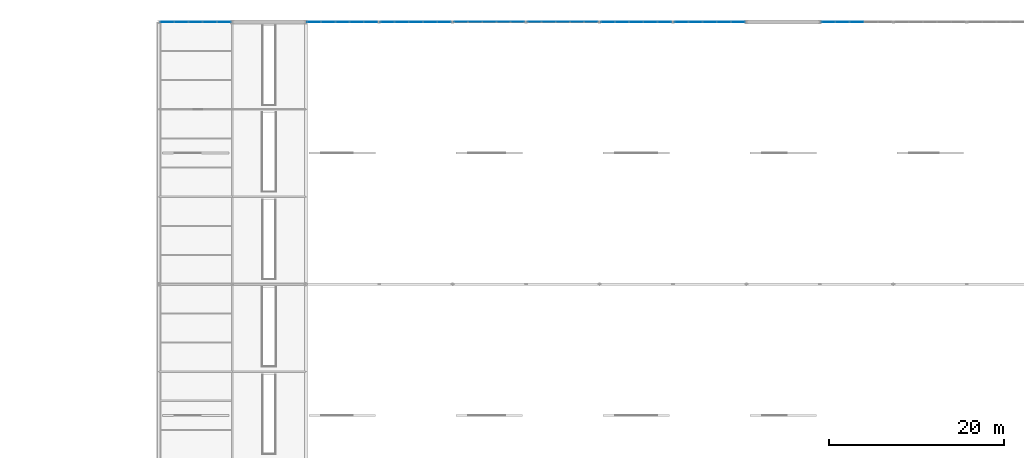
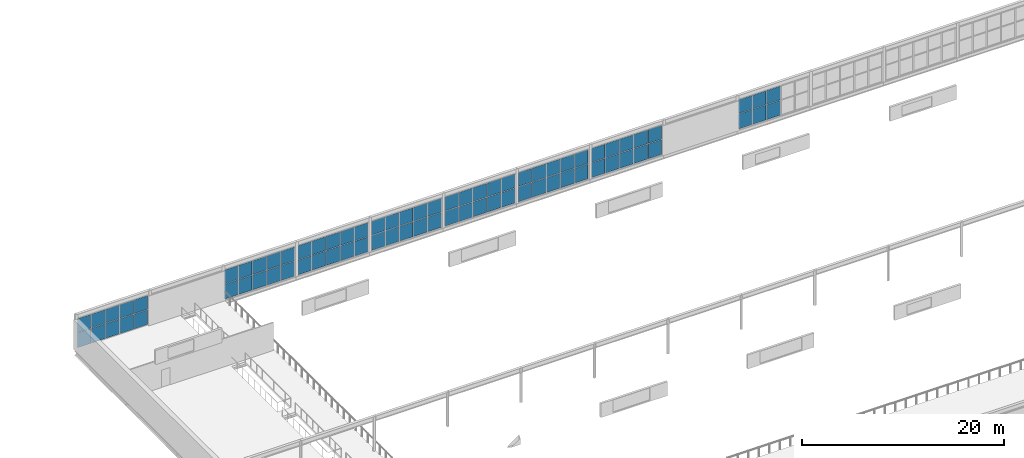
# One storey, part 192 of 218: 76 plates, 8 elements without a shape of their own.
"""IFC4 building model written with IfcOpenShell, lengths in metres."""

from ifc_helpers import new_model, si_unit, direction, frame, origin, origin_2d, place, context, subcontext, project, spatial, rectangle, extrude, material, layer, layer_set, type_object, element, aggregate, save


model = new_model("IFC4")

# Units and contexts
model_context = context("Model", 3, precision=1e-05, world=origin(), true_north=direction((0.0, 1.0)))
body_context = subcontext(model_context, "Body", "Model", "MODEL_VIEW")
ifc_project = project(units=[si_unit("LENGTHUNIT", "METRE"), si_unit("AREAUNIT", "SQUARE_METRE"), si_unit("VOLUMEUNIT", "CUBIC_METRE"), si_unit("PLANEANGLEUNIT", "RADIAN"), si_unit("MASSUNIT", "GRAM", prefix="KILO")], contexts=[model_context])

# Site, building, storey
site_placement = place(None, origin())
site = spatial("IfcSite", under=ifc_project, at=site_placement, CompositionType="ELEMENT")
building_placement = place(site_placement, origin())
building = spatial("IfcBuilding", under=site, at=building_placement, Name="Kazenagashi Tramway Depot", CompositionType="ELEMENT")
storey_placement = place(building_placement, frame((0.0, 0.0, 6.0)))
storey = spatial("IfcBuildingStorey", under=building, at=storey_placement, Name="L02", CompositionType="ELEMENT", Elevation=6.0)

# Curtain wall, plates
ifc_material_1 = material(Name="Anodised Aluminium and Low-E Glazing", Category="aluminium")
curtain_wall_type_1 = type_object("IfcCurtainWallType", Name="CW-15", PredefinedType="USERDEFINED", material=ifc_material_1)
curtain_wall_1_placement = place(storey_placement, origin())
curtain_wall_1 = element("IfcCurtainWall", 1, at=curtain_wall_1_placement, inside=storey, type_object=curtain_wall_type_1, Name="Industrial Glazed Screen CW-15 CW-0065", ObjectType="GLAZED SCREEN", PredefinedType="USERDEFINED")
ifc_material_2 = material(Name="Tempered Laminated Low-E Glass", Category="glass")
ifc_layer_1 = layer(ifc_material_2, 0.016)
ifc_layer_set_1 = layer_set([ifc_layer_1], Name="Tempered Laminated Low-E Glass")
plate_type_1 = type_object("IfcPlateType", Name="GL-01", PredefinedType="CURTAIN_PANEL", material=ifc_layer_set_1)
plate_1_placement = place(storey_placement, frame((79.367, 130.0, 0.04), z_axis=(0.0, 0.0, 1.0), x_axis=(1.0, 0.0, 0.0)))
plate_1 = element("IfcPlate", 2, at=plate_1_placement, type_object=plate_type_1, Name="CW-15 panel 1.1", PredefinedType="CURTAIN_PANEL", context=body_context, shape_type="SweptSolid", body=[
    extrude(rectangle(XDim=1.534, YDim=0.016, at=origin_2d()), origin(), (0.0, 0.0, 1.0), 1.799),
])
plate_2_placement = place(storey_placement, frame((79.367, 130.0, 1.899), z_axis=(0.0, 0.0, 1.0), x_axis=(1.0, 0.0, 0.0)))
plate_2 = element("IfcPlate", 3, at=plate_2_placement, type_object=plate_type_1, Name="CW-15 panel 1.2", PredefinedType="CURTAIN_PANEL", context=body_context, shape_type="SweptSolid", body=[
    extrude(rectangle(XDim=1.534, YDim=0.016, at=origin_2d()), origin(), (0.0, 0.0, 1.0), 1.653),
])
plate_3_placement = place(storey_placement, frame((80.976, 130.0, 0.04), z_axis=(0.0, 0.0, 1.0), x_axis=(1.0, 0.0, 0.0)))
plate_3 = element("IfcPlate", 4, at=plate_3_placement, type_object=plate_type_1, Name="CW-15 panel 2.1", PredefinedType="CURTAIN_PANEL", context=body_context, shape_type="SweptSolid", body=[
    extrude(rectangle(XDim=1.564, YDim=0.016, at=origin_2d()), origin(), (0.0, 0.0, 1.0), 1.799),
])
plate_4_placement = place(storey_placement, frame((80.976, 130.0, 1.899), z_axis=(0.0, 0.0, 1.0), x_axis=(1.0, 0.0, 0.0)))
plate_4 = element("IfcPlate", 5, at=plate_4_placement, type_object=plate_type_1, Name="CW-15 panel 2.2", PredefinedType="CURTAIN_PANEL", context=body_context, shape_type="SweptSolid", body=[
    extrude(rectangle(XDim=1.564, YDim=0.016, at=origin_2d()), origin(), (0.0, 0.0, 1.0), 1.653),
])
plate_5_placement = place(storey_placement, frame((82.6, 130.0, 0.04), z_axis=(0.0, 0.0, 1.0), x_axis=(1.0, 0.0, 0.0)))
plate_5 = element("IfcPlate", 6, at=plate_5_placement, type_object=plate_type_1, Name="CW-15 panel 3.1", PredefinedType="CURTAIN_PANEL", context=body_context, shape_type="SweptSolid", body=[
    extrude(rectangle(XDim=1.564, YDim=0.016, at=origin_2d()), origin(), (0.0, 0.0, 1.0), 1.799),
])
plate_6_placement = place(storey_placement, frame((82.6, 130.0, 1.899), z_axis=(0.0, 0.0, 1.0), x_axis=(1.0, 0.0, 0.0)))
plate_6 = element("IfcPlate", 7, at=plate_6_placement, type_object=plate_type_1, Name="CW-15 panel 3.2", PredefinedType="CURTAIN_PANEL", context=body_context, shape_type="SweptSolid", body=[
    extrude(rectangle(XDim=1.564, YDim=0.016, at=origin_2d()), origin(), (0.0, 0.0, 1.0), 1.653),
])
plate_7_placement = place(storey_placement, frame((84.224, 130.0, 0.04), z_axis=(0.0, 0.0, 1.0), x_axis=(1.0, 0.0, 0.0)))
plate_7 = element("IfcPlate", 8, at=plate_7_placement, type_object=plate_type_1, Name="CW-15 panel 4.1", PredefinedType="CURTAIN_PANEL", context=body_context, shape_type="SweptSolid", body=[
    extrude(rectangle(XDim=1.564, YDim=0.016, at=origin_2d()), origin(), (0.0, 0.0, 1.0), 1.799),
])
plate_8_placement = place(storey_placement, frame((84.224, 130.0, 1.899), z_axis=(0.0, 0.0, 1.0), x_axis=(1.0, 0.0, 0.0)))
plate_8 = element("IfcPlate", 9, at=plate_8_placement, type_object=plate_type_1, Name="CW-15 panel 4.2", PredefinedType="CURTAIN_PANEL", context=body_context, shape_type="SweptSolid", body=[
    extrude(rectangle(XDim=1.564, YDim=0.016, at=origin_2d()), origin(), (0.0, 0.0, 1.0), 1.653),
])
plate_9_placement = place(storey_placement, frame((85.833, 130.0, 0.04), z_axis=(0.0, 0.0, 1.0), x_axis=(1.0, 0.0, 0.0)))
plate_9 = element("IfcPlate", 10, at=plate_9_placement, type_object=plate_type_1, Name="CW-15 panel 5.1", PredefinedType="CURTAIN_PANEL", context=body_context, shape_type="SweptSolid", body=[
    extrude(rectangle(XDim=1.534, YDim=0.016, at=origin_2d()), origin(), (0.0, 0.0, 1.0), 1.799),
])
plate_10_placement = place(storey_placement, frame((85.833, 130.0, 1.899), z_axis=(0.0, 0.0, 1.0), x_axis=(1.0, 0.0, 0.0)))
plate_10 = element("IfcPlate", 11, at=plate_10_placement, type_object=plate_type_1, Name="CW-15 panel 5.2", PredefinedType="CURTAIN_PANEL", context=body_context, shape_type="SweptSolid", body=[
    extrude(rectangle(XDim=1.534, YDim=0.016, at=origin_2d()), origin(), (0.0, 0.0, 1.0), 1.653),
])
aggregate(curtain_wall_1, [plate_1, plate_2, plate_3, plate_4, plate_5, plate_6, plate_7, plate_8, plate_9, plate_10])

curtain_wall_2_placement = place(storey_placement, origin())
curtain_wall_2 = element("IfcCurtainWall", 12, at=curtain_wall_2_placement, inside=storey, type_object=curtain_wall_type_1, Name="Industrial Glazed Screen CW-15 CW-0068", ObjectType="GLAZED SCREEN", PredefinedType="USERDEFINED")
ifc_layer_2 = layer(ifc_material_2, 0.022)
ifc_layer_set_2 = layer_set([ifc_layer_2], Name="Tempered Laminated Low-E Glass")
plate_type_2 = type_object("IfcPlateType", Name="GL-04", PredefinedType="CURTAIN_PANEL", material=ifc_layer_set_2)
plate_11_placement = place(storey_placement, frame((87.767, 130.0, 0.04), z_axis=(0.0, 0.0, 1.0), x_axis=(1.0, 0.0, 0.0)))
plate_11 = element("IfcPlate", 13, at=plate_11_placement, type_object=plate_type_2, Name="CW-15 panel 1.1", PredefinedType="CURTAIN_PANEL", context=body_context, shape_type="SweptSolid", body=[
    extrude(rectangle(XDim=1.534, YDim=0.022, at=origin_2d()), origin(), (0.0, 0.0, 1.0), 1.799),
])
plate_12_placement = place(storey_placement, frame((87.767, 130.0, 1.899), z_axis=(0.0, 0.0, 1.0), x_axis=(1.0, 0.0, 0.0)))
plate_12 = element("IfcPlate", 14, at=plate_12_placement, type_object=plate_type_2, Name="CW-15 panel 1.2", PredefinedType="CURTAIN_PANEL", context=body_context, shape_type="SweptSolid", body=[
    extrude(rectangle(XDim=1.534, YDim=0.022, at=origin_2d()), origin(), (0.0, 0.0, 1.0), 1.653),
])
plate_13_placement = place(storey_placement, frame((89.376, 130.0, 0.04), z_axis=(0.0, 0.0, 1.0), x_axis=(1.0, 0.0, 0.0)))
plate_13 = element("IfcPlate", 15, at=plate_13_placement, type_object=plate_type_2, Name="CW-15 panel 2.1", PredefinedType="CURTAIN_PANEL", context=body_context, shape_type="SweptSolid", body=[
    extrude(rectangle(XDim=1.564, YDim=0.022, at=origin_2d()), origin(), (0.0, 0.0, 1.0), 1.799),
])
plate_14_placement = place(storey_placement, frame((89.376, 130.0, 1.899), z_axis=(0.0, 0.0, 1.0), x_axis=(1.0, 0.0, 0.0)))
plate_14 = element("IfcPlate", 16, at=plate_14_placement, type_object=plate_type_2, Name="CW-15 panel 2.2", PredefinedType="CURTAIN_PANEL", context=body_context, shape_type="SweptSolid", body=[
    extrude(rectangle(XDim=1.564, YDim=0.022, at=origin_2d()), origin(), (0.0, 0.0, 1.0), 1.653),
])
plate_15_placement = place(storey_placement, frame((91.0, 130.0, 0.04), z_axis=(0.0, 0.0, 1.0), x_axis=(1.0, 0.0, 0.0)))
plate_15 = element("IfcPlate", 17, at=plate_15_placement, type_object=plate_type_2, Name="CW-15 panel 3.1", PredefinedType="CURTAIN_PANEL", context=body_context, shape_type="SweptSolid", body=[
    extrude(rectangle(XDim=1.564, YDim=0.022, at=origin_2d()), origin(), (0.0, 0.0, 1.0), 1.799),
])
plate_16_placement = place(storey_placement, frame((91.0, 130.0, 1.899), z_axis=(0.0, 0.0, 1.0), x_axis=(1.0, 0.0, 0.0)))
plate_16 = element("IfcPlate", 18, at=plate_16_placement, type_object=plate_type_2, Name="CW-15 panel 3.2", PredefinedType="CURTAIN_PANEL", context=body_context, shape_type="SweptSolid", body=[
    extrude(rectangle(XDim=1.564, YDim=0.022, at=origin_2d()), origin(), (0.0, 0.0, 1.0), 1.653),
])
plate_17_placement = place(storey_placement, frame((92.624, 130.0, 0.04), z_axis=(0.0, 0.0, 1.0), x_axis=(1.0, 0.0, 0.0)))
plate_17 = element("IfcPlate", 19, at=plate_17_placement, type_object=plate_type_2, Name="CW-15 panel 4.1", PredefinedType="CURTAIN_PANEL", context=body_context, shape_type="SweptSolid", body=[
    extrude(rectangle(XDim=1.564, YDim=0.022, at=origin_2d()), origin(), (0.0, 0.0, 1.0), 1.799),
])
plate_18_placement = place(storey_placement, frame((92.624, 130.0, 1.899), z_axis=(0.0, 0.0, 1.0), x_axis=(1.0, 0.0, 0.0)))
plate_18 = element("IfcPlate", 20, at=plate_18_placement, type_object=plate_type_2, Name="CW-15 panel 4.2", PredefinedType="CURTAIN_PANEL", context=body_context, shape_type="SweptSolid", body=[
    extrude(rectangle(XDim=1.564, YDim=0.022, at=origin_2d()), origin(), (0.0, 0.0, 1.0), 1.653),
])
plate_19_placement = place(storey_placement, frame((94.233, 130.0, 0.04), z_axis=(0.0, 0.0, 1.0), x_axis=(1.0, 0.0, 0.0)))
plate_19 = element("IfcPlate", 21, at=plate_19_placement, type_object=plate_type_2, Name="CW-15 panel 5.1", PredefinedType="CURTAIN_PANEL", context=body_context, shape_type="SweptSolid", body=[
    extrude(rectangle(XDim=1.534, YDim=0.022, at=origin_2d()), origin(), (0.0, 0.0, 1.0), 1.799),
])
plate_20_placement = place(storey_placement, frame((94.233, 130.0, 1.899), z_axis=(0.0, 0.0, 1.0), x_axis=(1.0, 0.0, 0.0)))
plate_20 = element("IfcPlate", 22, at=plate_20_placement, type_object=plate_type_2, Name="CW-15 panel 5.2", PredefinedType="CURTAIN_PANEL", context=body_context, shape_type="SweptSolid", body=[
    extrude(rectangle(XDim=1.534, YDim=0.022, at=origin_2d()), origin(), (0.0, 0.0, 1.0), 1.653),
])
aggregate(curtain_wall_2, [plate_11, plate_12, plate_13, plate_14, plate_15, plate_16, plate_17, plate_18, plate_19, plate_20])

curtain_wall_3_placement = place(storey_placement, origin())
curtain_wall_3 = element("IfcCurtainWall", 23, at=curtain_wall_3_placement, inside=storey, type_object=curtain_wall_type_1, Name="Industrial Glazed Screen CW-15 CW-0071", ObjectType="GLAZED SCREEN", PredefinedType="USERDEFINED")
ifc_layer_3 = layer(ifc_material_2, 0.028)
ifc_layer_set_3 = layer_set([ifc_layer_3], Name="Tempered Laminated Low-E Glass")
plate_type_3 = type_object("IfcPlateType", Name="GL-07", PredefinedType="CURTAIN_PANEL", material=ifc_layer_set_3)
plate_21_placement = place(storey_placement, frame((96.167, 130.0, 0.04), z_axis=(0.0, 0.0, 1.0), x_axis=(1.0, 0.0, 0.0)))
plate_21 = element("IfcPlate", 24, at=plate_21_placement, type_object=plate_type_3, Name="CW-15 panel 1.1", PredefinedType="CURTAIN_PANEL", context=body_context, shape_type="SweptSolid", body=[
    extrude(rectangle(XDim=1.534, YDim=0.028, at=origin_2d()), origin(), (0.0, 0.0, 1.0), 1.799),
])
plate_22_placement = place(storey_placement, frame((96.167, 130.0, 1.899), z_axis=(0.0, 0.0, 1.0), x_axis=(1.0, 0.0, 0.0)))
plate_22 = element("IfcPlate", 25, at=plate_22_placement, type_object=plate_type_3, Name="CW-15 panel 1.2", PredefinedType="CURTAIN_PANEL", context=body_context, shape_type="SweptSolid", body=[
    extrude(rectangle(XDim=1.534, YDim=0.028, at=origin_2d()), origin(), (0.0, 0.0, 1.0), 1.653),
])
plate_23_placement = place(storey_placement, frame((97.776, 130.0, 0.04), z_axis=(0.0, 0.0, 1.0), x_axis=(1.0, 0.0, 0.0)))
plate_23 = element("IfcPlate", 26, at=plate_23_placement, type_object=plate_type_3, Name="CW-15 panel 2.1", PredefinedType="CURTAIN_PANEL", context=body_context, shape_type="SweptSolid", body=[
    extrude(rectangle(XDim=1.564, YDim=0.028, at=origin_2d()), origin(), (0.0, 0.0, 1.0), 1.799),
])
plate_24_placement = place(storey_placement, frame((97.776, 130.0, 1.899), z_axis=(0.0, 0.0, 1.0), x_axis=(1.0, 0.0, 0.0)))
plate_24 = element("IfcPlate", 27, at=plate_24_placement, type_object=plate_type_3, Name="CW-15 panel 2.2", PredefinedType="CURTAIN_PANEL", context=body_context, shape_type="SweptSolid", body=[
    extrude(rectangle(XDim=1.564, YDim=0.028, at=origin_2d()), origin(), (0.0, 0.0, 1.0), 1.653),
])
plate_25_placement = place(storey_placement, frame((99.4, 130.0, 0.04), z_axis=(0.0, 0.0, 1.0), x_axis=(1.0, 0.0, 0.0)))
plate_25 = element("IfcPlate", 28, at=plate_25_placement, type_object=plate_type_3, Name="CW-15 panel 3.1", PredefinedType="CURTAIN_PANEL", context=body_context, shape_type="SweptSolid", body=[
    extrude(rectangle(XDim=1.564, YDim=0.028, at=origin_2d()), origin(), (0.0, 0.0, 1.0), 1.799),
])
plate_26_placement = place(storey_placement, frame((99.4, 130.0, 1.899), z_axis=(0.0, 0.0, 1.0), x_axis=(1.0, 0.0, 0.0)))
plate_26 = element("IfcPlate", 29, at=plate_26_placement, type_object=plate_type_3, Name="CW-15 panel 3.2", PredefinedType="CURTAIN_PANEL", context=body_context, shape_type="SweptSolid", body=[
    extrude(rectangle(XDim=1.564, YDim=0.028, at=origin_2d()), origin(), (0.0, 0.0, 1.0), 1.653),
])
plate_27_placement = place(storey_placement, frame((101.024, 130.0, 0.04), z_axis=(0.0, 0.0, 1.0), x_axis=(1.0, 0.0, 0.0)))
plate_27 = element("IfcPlate", 30, at=plate_27_placement, type_object=plate_type_3, Name="CW-15 panel 4.1", PredefinedType="CURTAIN_PANEL", context=body_context, shape_type="SweptSolid", body=[
    extrude(rectangle(XDim=1.564, YDim=0.028, at=origin_2d()), origin(), (0.0, 0.0, 1.0), 1.799),
])
plate_28_placement = place(storey_placement, frame((101.024, 130.0, 1.899), z_axis=(0.0, 0.0, 1.0), x_axis=(1.0, 0.0, 0.0)))
plate_28 = element("IfcPlate", 31, at=plate_28_placement, type_object=plate_type_3, Name="CW-15 panel 4.2", PredefinedType="CURTAIN_PANEL", context=body_context, shape_type="SweptSolid", body=[
    extrude(rectangle(XDim=1.564, YDim=0.028, at=origin_2d()), origin(), (0.0, 0.0, 1.0), 1.653),
])
plate_29_placement = place(storey_placement, frame((102.633, 130.0, 0.04), z_axis=(0.0, 0.0, 1.0), x_axis=(1.0, 0.0, 0.0)))
plate_29 = element("IfcPlate", 32, at=plate_29_placement, type_object=plate_type_3, Name="CW-15 panel 5.1", PredefinedType="CURTAIN_PANEL", context=body_context, shape_type="SweptSolid", body=[
    extrude(rectangle(XDim=1.534, YDim=0.028, at=origin_2d()), origin(), (0.0, 0.0, 1.0), 1.799),
])
plate_30_placement = place(storey_placement, frame((102.633, 130.0, 1.899), z_axis=(0.0, 0.0, 1.0), x_axis=(1.0, 0.0, 0.0)))
plate_30 = element("IfcPlate", 33, at=plate_30_placement, type_object=plate_type_3, Name="CW-15 panel 5.2", PredefinedType="CURTAIN_PANEL", context=body_context, shape_type="SweptSolid", body=[
    extrude(rectangle(XDim=1.534, YDim=0.028, at=origin_2d()), origin(), (0.0, 0.0, 1.0), 1.653),
])
aggregate(curtain_wall_3, [plate_21, plate_22, plate_23, plate_24, plate_25, plate_26, plate_27, plate_28, plate_29, plate_30])

curtain_wall_type_2 = type_object("IfcCurtainWallType", Name="CW-11", PredefinedType="USERDEFINED", material=ifc_material_1)
curtain_wall_4_placement = place(storey_placement, origin())
curtain_wall_4 = element("IfcCurtainWall", 34, at=curtain_wall_4_placement, inside=storey, type_object=curtain_wall_type_2, Name="Industrial Glazed Screen CW-11 CW-0058", ObjectType="GLAZED SCREEN", PredefinedType="USERDEFINED")
ifc_layer_4 = layer(ifc_material_2, 0.034)
ifc_layer_set_4 = layer_set([ifc_layer_4], Name="Tempered Laminated Low-E Glass")
plate_type_4 = type_object("IfcPlateType", Name="GL-10", PredefinedType="CURTAIN_PANEL", material=ifc_layer_set_4)
plate_31_placement = place(storey_placement, frame((45.767, 130.0, 0.06), z_axis=(0.0, 0.0, 1.0), x_axis=(1.0, 0.0, 0.0)))
plate_31 = element("IfcPlate", 35, at=plate_31_placement, type_object=plate_type_4, Name="CW-11 panel 1.1", PredefinedType="CURTAIN_PANEL", context=body_context, shape_type="SweptSolid", body=[
    extrude(rectangle(XDim=1.534, YDim=0.034, at=origin_2d()), origin(), (0.0, 0.0, 1.0), 1.788),
])
plate_32_placement = place(storey_placement, frame((45.767, 130.0, 1.908), z_axis=(0.0, 0.0, 1.0), x_axis=(1.0, 0.0, 0.0)))
plate_32 = element("IfcPlate", 36, at=plate_32_placement, type_object=plate_type_4, Name="CW-11 panel 1.2", PredefinedType="CURTAIN_PANEL", context=body_context, shape_type="SweptSolid", body=[
    extrude(rectangle(XDim=1.534, YDim=0.034, at=origin_2d()), origin(), (0.0, 0.0, 1.0), 1.644),
])
plate_33_placement = place(storey_placement, frame((47.376, 130.0, 0.06), z_axis=(0.0, 0.0, 1.0), x_axis=(1.0, 0.0, 0.0)))
plate_33 = element("IfcPlate", 37, at=plate_33_placement, type_object=plate_type_4, Name="CW-11 panel 2.1", PredefinedType="CURTAIN_PANEL", context=body_context, shape_type="SweptSolid", body=[
    extrude(rectangle(XDim=1.564, YDim=0.034, at=origin_2d()), origin(), (0.0, 0.0, 1.0), 1.788),
])
plate_34_placement = place(storey_placement, frame((47.376, 130.0, 1.908), z_axis=(0.0, 0.0, 1.0), x_axis=(1.0, 0.0, 0.0)))
plate_34 = element("IfcPlate", 38, at=plate_34_placement, type_object=plate_type_4, Name="CW-11 panel 2.2", PredefinedType="CURTAIN_PANEL", context=body_context, shape_type="SweptSolid", body=[
    extrude(rectangle(XDim=1.564, YDim=0.034, at=origin_2d()), origin(), (0.0, 0.0, 1.0), 1.644),
])
plate_35_placement = place(storey_placement, frame((49.0, 130.0, 0.06), z_axis=(0.0, 0.0, 1.0), x_axis=(1.0, 0.0, 0.0)))
plate_35 = element("IfcPlate", 39, at=plate_35_placement, type_object=plate_type_4, Name="CW-11 panel 3.1", PredefinedType="CURTAIN_PANEL", context=body_context, shape_type="SweptSolid", body=[
    extrude(rectangle(XDim=1.564, YDim=0.034, at=origin_2d()), origin(), (0.0, 0.0, 1.0), 1.788),
])
plate_36_placement = place(storey_placement, frame((49.0, 130.0, 1.908), z_axis=(0.0, 0.0, 1.0), x_axis=(1.0, 0.0, 0.0)))
plate_36 = element("IfcPlate", 40, at=plate_36_placement, type_object=plate_type_4, Name="CW-11 panel 3.2", PredefinedType="CURTAIN_PANEL", context=body_context, shape_type="SweptSolid", body=[
    extrude(rectangle(XDim=1.564, YDim=0.034, at=origin_2d()), origin(), (0.0, 0.0, 1.0), 1.644),
])
plate_37_placement = place(storey_placement, frame((50.624, 130.0, 0.06), z_axis=(0.0, 0.0, 1.0), x_axis=(1.0, 0.0, 0.0)))
plate_37 = element("IfcPlate", 41, at=plate_37_placement, type_object=plate_type_4, Name="CW-11 panel 4.1", PredefinedType="CURTAIN_PANEL", context=body_context, shape_type="SweptSolid", body=[
    extrude(rectangle(XDim=1.564, YDim=0.034, at=origin_2d()), origin(), (0.0, 0.0, 1.0), 1.788),
])
plate_38_placement = place(storey_placement, frame((50.624, 130.0, 1.908), z_axis=(0.0, 0.0, 1.0), x_axis=(1.0, 0.0, 0.0)))
plate_38 = element("IfcPlate", 42, at=plate_38_placement, type_object=plate_type_4, Name="CW-11 panel 4.2", PredefinedType="CURTAIN_PANEL", context=body_context, shape_type="SweptSolid", body=[
    extrude(rectangle(XDim=1.564, YDim=0.034, at=origin_2d()), origin(), (0.0, 0.0, 1.0), 1.644),
])
plate_39_placement = place(storey_placement, frame((52.233, 130.0, 0.06), z_axis=(0.0, 0.0, 1.0), x_axis=(1.0, 0.0, 0.0)))
plate_39 = element("IfcPlate", 43, at=plate_39_placement, type_object=plate_type_4, Name="CW-11 panel 5.1", PredefinedType="CURTAIN_PANEL", context=body_context, shape_type="SweptSolid", body=[
    extrude(rectangle(XDim=1.534, YDim=0.034, at=origin_2d()), origin(), (0.0, 0.0, 1.0), 1.788),
])
plate_40_placement = place(storey_placement, frame((52.233, 130.0, 1.908), z_axis=(0.0, 0.0, 1.0), x_axis=(1.0, 0.0, 0.0)))
plate_40 = element("IfcPlate", 44, at=plate_40_placement, type_object=plate_type_4, Name="CW-11 panel 5.2", PredefinedType="CURTAIN_PANEL", context=body_context, shape_type="SweptSolid", body=[
    extrude(rectangle(XDim=1.534, YDim=0.034, at=origin_2d()), origin(), (0.0, 0.0, 1.0), 1.644),
])
aggregate(curtain_wall_4, [plate_31, plate_32, plate_33, plate_34, plate_35, plate_36, plate_37, plate_38, plate_39, plate_40])

curtain_wall_5_placement = place(storey_placement, origin())
curtain_wall_5 = element("IfcCurtainWall", 45, at=curtain_wall_5_placement, inside=storey, type_object=curtain_wall_type_1, Name="Industrial Glazed Screen CW-15 CW-0074", ObjectType="GLAZED SCREEN", PredefinedType="USERDEFINED")
plate_41_placement = place(storey_placement, frame((104.567, 130.0, 0.04), z_axis=(0.0, 0.0, 1.0), x_axis=(1.0, 0.0, 0.0)))
plate_41 = element("IfcPlate", 46, at=plate_41_placement, type_object=plate_type_4, Name="CW-15 panel 1.1", PredefinedType="CURTAIN_PANEL", context=body_context, shape_type="SweptSolid", body=[
    extrude(rectangle(XDim=1.534, YDim=0.034, at=origin_2d()), origin(), (0.0, 0.0, 1.0), 1.799),
])
plate_42_placement = place(storey_placement, frame((104.567, 130.0, 1.899), z_axis=(0.0, 0.0, 1.0), x_axis=(1.0, 0.0, 0.0)))
plate_42 = element("IfcPlate", 47, at=plate_42_placement, type_object=plate_type_4, Name="CW-15 panel 1.2", PredefinedType="CURTAIN_PANEL", context=body_context, shape_type="SweptSolid", body=[
    extrude(rectangle(XDim=1.534, YDim=0.034, at=origin_2d()), origin(), (0.0, 0.0, 1.0), 1.653),
])
plate_43_placement = place(storey_placement, frame((106.176, 130.0, 0.04), z_axis=(0.0, 0.0, 1.0), x_axis=(1.0, 0.0, 0.0)))
plate_43 = element("IfcPlate", 48, at=plate_43_placement, type_object=plate_type_4, Name="CW-15 panel 2.1", PredefinedType="CURTAIN_PANEL", context=body_context, shape_type="SweptSolid", body=[
    extrude(rectangle(XDim=1.564, YDim=0.034, at=origin_2d()), origin(), (0.0, 0.0, 1.0), 1.799),
])
plate_44_placement = place(storey_placement, frame((106.176, 130.0, 1.899), z_axis=(0.0, 0.0, 1.0), x_axis=(1.0, 0.0, 0.0)))
plate_44 = element("IfcPlate", 49, at=plate_44_placement, type_object=plate_type_4, Name="CW-15 panel 2.2", PredefinedType="CURTAIN_PANEL", context=body_context, shape_type="SweptSolid", body=[
    extrude(rectangle(XDim=1.564, YDim=0.034, at=origin_2d()), origin(), (0.0, 0.0, 1.0), 1.653),
])
plate_45_placement = place(storey_placement, frame((107.8, 130.0, 0.04), z_axis=(0.0, 0.0, 1.0), x_axis=(1.0, 0.0, 0.0)))
plate_45 = element("IfcPlate", 50, at=plate_45_placement, type_object=plate_type_4, Name="CW-15 panel 3.1", PredefinedType="CURTAIN_PANEL", context=body_context, shape_type="SweptSolid", body=[
    extrude(rectangle(XDim=1.564, YDim=0.034, at=origin_2d()), origin(), (0.0, 0.0, 1.0), 1.799),
])
plate_46_placement = place(storey_placement, frame((107.8, 130.0, 1.899), z_axis=(0.0, 0.0, 1.0), x_axis=(1.0, 0.0, 0.0)))
plate_46 = element("IfcPlate", 51, at=plate_46_placement, type_object=plate_type_4, Name="CW-15 panel 3.2", PredefinedType="CURTAIN_PANEL", context=body_context, shape_type="SweptSolid", body=[
    extrude(rectangle(XDim=1.564, YDim=0.034, at=origin_2d()), origin(), (0.0, 0.0, 1.0), 1.653),
])
plate_47_placement = place(storey_placement, frame((109.424, 130.0, 0.04), z_axis=(0.0, 0.0, 1.0), x_axis=(1.0, 0.0, 0.0)))
plate_47 = element("IfcPlate", 52, at=plate_47_placement, type_object=plate_type_4, Name="CW-15 panel 4.1", PredefinedType="CURTAIN_PANEL", context=body_context, shape_type="SweptSolid", body=[
    extrude(rectangle(XDim=1.564, YDim=0.034, at=origin_2d()), origin(), (0.0, 0.0, 1.0), 1.799),
])
plate_48_placement = place(storey_placement, frame((109.424, 130.0, 1.899), z_axis=(0.0, 0.0, 1.0), x_axis=(1.0, 0.0, 0.0)))
plate_48 = element("IfcPlate", 53, at=plate_48_placement, type_object=plate_type_4, Name="CW-15 panel 4.2", PredefinedType="CURTAIN_PANEL", context=body_context, shape_type="SweptSolid", body=[
    extrude(rectangle(XDim=1.564, YDim=0.034, at=origin_2d()), origin(), (0.0, 0.0, 1.0), 1.653),
])
plate_49_placement = place(storey_placement, frame((111.033, 130.0, 0.04), z_axis=(0.0, 0.0, 1.0), x_axis=(1.0, 0.0, 0.0)))
plate_49 = element("IfcPlate", 54, at=plate_49_placement, type_object=plate_type_4, Name="CW-15 panel 5.1", PredefinedType="CURTAIN_PANEL", context=body_context, shape_type="SweptSolid", body=[
    extrude(rectangle(XDim=1.534, YDim=0.034, at=origin_2d()), origin(), (0.0, 0.0, 1.0), 1.799),
])
plate_50_placement = place(storey_placement, frame((111.033, 130.0, 1.899), z_axis=(0.0, 0.0, 1.0), x_axis=(1.0, 0.0, 0.0)))
plate_50 = element("IfcPlate", 55, at=plate_50_placement, type_object=plate_type_4, Name="CW-15 panel 5.2", PredefinedType="CURTAIN_PANEL", context=body_context, shape_type="SweptSolid", body=[
    extrude(rectangle(XDim=1.534, YDim=0.034, at=origin_2d()), origin(), (0.0, 0.0, 1.0), 1.653),
])
aggregate(curtain_wall_5, [plate_41, plate_42, plate_43, plate_44, plate_45, plate_46, plate_47, plate_48, plate_49, plate_50])

curtain_wall_6_placement = place(storey_placement, origin())
curtain_wall_6 = element("IfcCurtainWall", 56, at=curtain_wall_6_placement, inside=storey, type_object=curtain_wall_type_1, Name="Industrial Glazed Screen CW-15 CW-0059", ObjectType="GLAZED SCREEN", PredefinedType="USERDEFINED")
ifc_layer_5 = layer(ifc_material_2, 0.036)
ifc_layer_set_5 = layer_set([ifc_layer_5], Name="Tempered Laminated Low-E Glass")
plate_type_5 = type_object("IfcPlateType", Name="GL-11", PredefinedType="CURTAIN_PANEL", material=ifc_layer_set_5)
plate_51_placement = place(storey_placement, frame((62.567, 130.0, 0.04), z_axis=(0.0, 0.0, 1.0), x_axis=(1.0, 0.0, 0.0)))
plate_51 = element("IfcPlate", 57, at=plate_51_placement, type_object=plate_type_5, Name="CW-15 panel 1.1", PredefinedType="CURTAIN_PANEL", context=body_context, shape_type="SweptSolid", body=[
    extrude(rectangle(XDim=1.534, YDim=0.036, at=origin_2d()), origin(), (0.0, 0.0, 1.0), 1.799),
])
plate_52_placement = place(storey_placement, frame((62.567, 130.0, 1.899), z_axis=(0.0, 0.0, 1.0), x_axis=(1.0, 0.0, 0.0)))
plate_52 = element("IfcPlate", 58, at=plate_52_placement, type_object=plate_type_5, Name="CW-15 panel 1.2", PredefinedType="CURTAIN_PANEL", context=body_context, shape_type="SweptSolid", body=[
    extrude(rectangle(XDim=1.534, YDim=0.036, at=origin_2d()), origin(), (0.0, 0.0, 1.0), 1.653),
])
plate_53_placement = place(storey_placement, frame((64.176, 130.0, 0.04), z_axis=(0.0, 0.0, 1.0), x_axis=(1.0, 0.0, 0.0)))
plate_53 = element("IfcPlate", 59, at=plate_53_placement, type_object=plate_type_5, Name="CW-15 panel 2.1", PredefinedType="CURTAIN_PANEL", context=body_context, shape_type="SweptSolid", body=[
    extrude(rectangle(XDim=1.564, YDim=0.036, at=origin_2d()), origin(), (0.0, 0.0, 1.0), 1.799),
])
plate_54_placement = place(storey_placement, frame((64.176, 130.0, 1.899), z_axis=(0.0, 0.0, 1.0), x_axis=(1.0, 0.0, 0.0)))
plate_54 = element("IfcPlate", 60, at=plate_54_placement, type_object=plate_type_5, Name="CW-15 panel 2.2", PredefinedType="CURTAIN_PANEL", context=body_context, shape_type="SweptSolid", body=[
    extrude(rectangle(XDim=1.564, YDim=0.036, at=origin_2d()), origin(), (0.0, 0.0, 1.0), 1.653),
])
plate_55_placement = place(storey_placement, frame((65.8, 130.0, 0.04), z_axis=(0.0, 0.0, 1.0), x_axis=(1.0, 0.0, 0.0)))
plate_55 = element("IfcPlate", 61, at=plate_55_placement, type_object=plate_type_5, Name="CW-15 panel 3.1", PredefinedType="CURTAIN_PANEL", context=body_context, shape_type="SweptSolid", body=[
    extrude(rectangle(XDim=1.564, YDim=0.036, at=origin_2d()), origin(), (0.0, 0.0, 1.0), 1.799),
])
plate_56_placement = place(storey_placement, frame((65.8, 130.0, 1.899), z_axis=(0.0, 0.0, 1.0), x_axis=(1.0, 0.0, 0.0)))
plate_56 = element("IfcPlate", 62, at=plate_56_placement, type_object=plate_type_5, Name="CW-15 panel 3.2", PredefinedType="CURTAIN_PANEL", context=body_context, shape_type="SweptSolid", body=[
    extrude(rectangle(XDim=1.564, YDim=0.036, at=origin_2d()), origin(), (0.0, 0.0, 1.0), 1.653),
])
plate_57_placement = place(storey_placement, frame((67.424, 130.0, 0.04), z_axis=(0.0, 0.0, 1.0), x_axis=(1.0, 0.0, 0.0)))
plate_57 = element("IfcPlate", 63, at=plate_57_placement, type_object=plate_type_5, Name="CW-15 panel 4.1", PredefinedType="CURTAIN_PANEL", context=body_context, shape_type="SweptSolid", body=[
    extrude(rectangle(XDim=1.564, YDim=0.036, at=origin_2d()), origin(), (0.0, 0.0, 1.0), 1.799),
])
plate_58_placement = place(storey_placement, frame((67.424, 130.0, 1.899), z_axis=(0.0, 0.0, 1.0), x_axis=(1.0, 0.0, 0.0)))
plate_58 = element("IfcPlate", 64, at=plate_58_placement, type_object=plate_type_5, Name="CW-15 panel 4.2", PredefinedType="CURTAIN_PANEL", context=body_context, shape_type="SweptSolid", body=[
    extrude(rectangle(XDim=1.564, YDim=0.036, at=origin_2d()), origin(), (0.0, 0.0, 1.0), 1.653),
])
plate_59_placement = place(storey_placement, frame((69.033, 130.0, 0.04), z_axis=(0.0, 0.0, 1.0), x_axis=(1.0, 0.0, 0.0)))
plate_59 = element("IfcPlate", 65, at=plate_59_placement, type_object=plate_type_5, Name="CW-15 panel 5.1", PredefinedType="CURTAIN_PANEL", context=body_context, shape_type="SweptSolid", body=[
    extrude(rectangle(XDim=1.534, YDim=0.036, at=origin_2d()), origin(), (0.0, 0.0, 1.0), 1.799),
])
plate_60_placement = place(storey_placement, frame((69.033, 130.0, 1.899), z_axis=(0.0, 0.0, 1.0), x_axis=(1.0, 0.0, 0.0)))
plate_60 = element("IfcPlate", 66, at=plate_60_placement, type_object=plate_type_5, Name="CW-15 panel 5.2", PredefinedType="CURTAIN_PANEL", context=body_context, shape_type="SweptSolid", body=[
    extrude(rectangle(XDim=1.534, YDim=0.036, at=origin_2d()), origin(), (0.0, 0.0, 1.0), 1.653),
])
aggregate(curtain_wall_6, [plate_51, plate_52, plate_53, plate_54, plate_55, plate_56, plate_57, plate_58, plate_59, plate_60])

curtain_wall_7_placement = place(storey_placement, origin())
curtain_wall_7 = element("IfcCurtainWall", 67, at=curtain_wall_7_placement, inside=storey, type_object=curtain_wall_type_1, Name="Industrial Glazed Screen CW-15 CW-0075", ObjectType="GLAZED SCREEN", PredefinedType="USERDEFINED")
plate_61_placement = place(storey_placement, frame((121.367, 130.0, 0.04), z_axis=(0.0, 0.0, 1.0), x_axis=(1.0, 0.0, 0.0)))
plate_61 = element("IfcPlate", 68, at=plate_61_placement, type_object=plate_type_5, Name="CW-15 panel 1.1", PredefinedType="CURTAIN_PANEL", context=body_context, shape_type="SweptSolid", body=[
    extrude(rectangle(XDim=1.534, YDim=0.036, at=origin_2d()), origin(), (0.0, 0.0, 1.0), 1.799),
])
plate_62_placement = place(storey_placement, frame((121.367, 130.0, 1.899), z_axis=(0.0, 0.0, 1.0), x_axis=(1.0, 0.0, 0.0)))
plate_62 = element("IfcPlate", 69, at=plate_62_placement, type_object=plate_type_5, Name="CW-15 panel 1.2", PredefinedType="CURTAIN_PANEL", context=body_context, shape_type="SweptSolid", body=[
    extrude(rectangle(XDim=1.534, YDim=0.036, at=origin_2d()), origin(), (0.0, 0.0, 1.0), 1.653),
])
plate_63_placement = place(storey_placement, frame((122.976, 130.0, 0.04), z_axis=(0.0, 0.0, 1.0), x_axis=(1.0, 0.0, 0.0)))
plate_63 = element("IfcPlate", 70, at=plate_63_placement, type_object=plate_type_5, Name="CW-15 panel 2.1", PredefinedType="CURTAIN_PANEL", context=body_context, shape_type="SweptSolid", body=[
    extrude(rectangle(XDim=1.564, YDim=0.036, at=origin_2d()), origin(), (0.0, 0.0, 1.0), 1.799),
])
plate_64_placement = place(storey_placement, frame((122.976, 130.0, 1.899), z_axis=(0.0, 0.0, 1.0), x_axis=(1.0, 0.0, 0.0)))
plate_64 = element("IfcPlate", 71, at=plate_64_placement, type_object=plate_type_5, Name="CW-15 panel 2.2", PredefinedType="CURTAIN_PANEL", context=body_context, shape_type="SweptSolid", body=[
    extrude(rectangle(XDim=1.564, YDim=0.036, at=origin_2d()), origin(), (0.0, 0.0, 1.0), 1.653),
])
plate_65_placement = place(storey_placement, frame((124.6, 130.0, 0.04), z_axis=(0.0, 0.0, 1.0), x_axis=(1.0, 0.0, 0.0)))
plate_65 = element("IfcPlate", 72, at=plate_65_placement, type_object=plate_type_5, Name="CW-15 panel 3.1", PredefinedType="CURTAIN_PANEL", context=body_context, shape_type="SweptSolid", body=[
    extrude(rectangle(XDim=1.564, YDim=0.036, at=origin_2d()), origin(), (0.0, 0.0, 1.0), 1.799),
])
plate_66_placement = place(storey_placement, frame((124.6, 130.0, 1.899), z_axis=(0.0, 0.0, 1.0), x_axis=(1.0, 0.0, 0.0)))
plate_66 = element("IfcPlate", 73, at=plate_66_placement, type_object=plate_type_5, Name="CW-15 panel 3.2", PredefinedType="CURTAIN_PANEL", context=body_context, shape_type="SweptSolid", body=[
    extrude(rectangle(XDim=1.564, YDim=0.036, at=origin_2d()), origin(), (0.0, 0.0, 1.0), 1.653),
])
aggregate(curtain_wall_7, [plate_61, plate_62, plate_63, plate_64, plate_65, plate_66])

curtain_wall_8_placement = place(storey_placement, origin())
curtain_wall_8 = element("IfcCurtainWall", 74, at=curtain_wall_8_placement, inside=storey, type_object=curtain_wall_type_1, Name="Industrial Glazed Screen CW-15 CW-0062", ObjectType="GLAZED SCREEN", PredefinedType="USERDEFINED")
ifc_layer_6 = layer(ifc_material_2, 0.042)
ifc_layer_set_6 = layer_set([ifc_layer_6], Name="Tempered Laminated Low-E Glass")
plate_type_6 = type_object("IfcPlateType", Name="GL-14", PredefinedType="CURTAIN_PANEL", material=ifc_layer_set_6)
plate_67_placement = place(storey_placement, frame((70.967, 130.0, 0.04), z_axis=(0.0, 0.0, 1.0), x_axis=(1.0, 0.0, 0.0)))
plate_67 = element("IfcPlate", 75, at=plate_67_placement, type_object=plate_type_6, Name="CW-15 panel 1.1", PredefinedType="CURTAIN_PANEL", context=body_context, shape_type="SweptSolid", body=[
    extrude(rectangle(XDim=1.534, YDim=0.042, at=origin_2d()), origin(), (0.0, 0.0, 1.0), 1.799),
])
plate_68_placement = place(storey_placement, frame((70.967, 130.0, 1.899), z_axis=(0.0, 0.0, 1.0), x_axis=(1.0, 0.0, 0.0)))
plate_68 = element("IfcPlate", 76, at=plate_68_placement, type_object=plate_type_6, Name="CW-15 panel 1.2", PredefinedType="CURTAIN_PANEL", context=body_context, shape_type="SweptSolid", body=[
    extrude(rectangle(XDim=1.534, YDim=0.042, at=origin_2d()), origin(), (0.0, 0.0, 1.0), 1.653),
])
plate_69_placement = place(storey_placement, frame((72.576, 130.0, 0.04), z_axis=(0.0, 0.0, 1.0), x_axis=(1.0, 0.0, 0.0)))
plate_69 = element("IfcPlate", 77, at=plate_69_placement, type_object=plate_type_6, Name="CW-15 panel 2.1", PredefinedType="CURTAIN_PANEL", context=body_context, shape_type="SweptSolid", body=[
    extrude(rectangle(XDim=1.564, YDim=0.042, at=origin_2d()), origin(), (0.0, 0.0, 1.0), 1.799),
])
plate_70_placement = place(storey_placement, frame((72.576, 130.0, 1.899), z_axis=(0.0, 0.0, 1.0), x_axis=(1.0, 0.0, 0.0)))
plate_70 = element("IfcPlate", 78, at=plate_70_placement, type_object=plate_type_6, Name="CW-15 panel 2.2", PredefinedType="CURTAIN_PANEL", context=body_context, shape_type="SweptSolid", body=[
    extrude(rectangle(XDim=1.564, YDim=0.042, at=origin_2d()), origin(), (0.0, 0.0, 1.0), 1.653),
])
plate_71_placement = place(storey_placement, frame((74.2, 130.0, 0.04), z_axis=(0.0, 0.0, 1.0), x_axis=(1.0, 0.0, 0.0)))
plate_71 = element("IfcPlate", 79, at=plate_71_placement, type_object=plate_type_6, Name="CW-15 panel 3.1", PredefinedType="CURTAIN_PANEL", context=body_context, shape_type="SweptSolid", body=[
    extrude(rectangle(XDim=1.564, YDim=0.042, at=origin_2d()), origin(), (0.0, 0.0, 1.0), 1.799),
])
plate_72_placement = place(storey_placement, frame((74.2, 130.0, 1.899), z_axis=(0.0, 0.0, 1.0), x_axis=(1.0, 0.0, 0.0)))
plate_72 = element("IfcPlate", 80, at=plate_72_placement, type_object=plate_type_6, Name="CW-15 panel 3.2", PredefinedType="CURTAIN_PANEL", context=body_context, shape_type="SweptSolid", body=[
    extrude(rectangle(XDim=1.564, YDim=0.042, at=origin_2d()), origin(), (0.0, 0.0, 1.0), 1.653),
])
plate_73_placement = place(storey_placement, frame((75.824, 130.0, 0.04), z_axis=(0.0, 0.0, 1.0), x_axis=(1.0, 0.0, 0.0)))
plate_73 = element("IfcPlate", 81, at=plate_73_placement, type_object=plate_type_6, Name="CW-15 panel 4.1", PredefinedType="CURTAIN_PANEL", context=body_context, shape_type="SweptSolid", body=[
    extrude(rectangle(XDim=1.564, YDim=0.042, at=origin_2d()), origin(), (0.0, 0.0, 1.0), 1.799),
])
plate_74_placement = place(storey_placement, frame((75.824, 130.0, 1.899), z_axis=(0.0, 0.0, 1.0), x_axis=(1.0, 0.0, 0.0)))
plate_74 = element("IfcPlate", 82, at=plate_74_placement, type_object=plate_type_6, Name="CW-15 panel 4.2", PredefinedType="CURTAIN_PANEL", context=body_context, shape_type="SweptSolid", body=[
    extrude(rectangle(XDim=1.564, YDim=0.042, at=origin_2d()), origin(), (0.0, 0.0, 1.0), 1.653),
])
plate_75_placement = place(storey_placement, frame((77.433, 130.0, 0.04), z_axis=(0.0, 0.0, 1.0), x_axis=(1.0, 0.0, 0.0)))
plate_75 = element("IfcPlate", 83, at=plate_75_placement, type_object=plate_type_6, Name="CW-15 panel 5.1", PredefinedType="CURTAIN_PANEL", context=body_context, shape_type="SweptSolid", body=[
    extrude(rectangle(XDim=1.534, YDim=0.042, at=origin_2d()), origin(), (0.0, 0.0, 1.0), 1.799),
])
plate_76_placement = place(storey_placement, frame((77.433, 130.0, 1.899), z_axis=(0.0, 0.0, 1.0), x_axis=(1.0, 0.0, 0.0)))
plate_76 = element("IfcPlate", 84, at=plate_76_placement, type_object=plate_type_6, Name="CW-15 panel 5.2", PredefinedType="CURTAIN_PANEL", context=body_context, shape_type="SweptSolid", body=[
    extrude(rectangle(XDim=1.534, YDim=0.042, at=origin_2d()), origin(), (0.0, 0.0, 1.0), 1.653),
])
aggregate(curtain_wall_8, [plate_67, plate_68, plate_69, plate_70, plate_71, plate_72, plate_73, plate_74, plate_75, plate_76])

save(model, "model.ifc")
